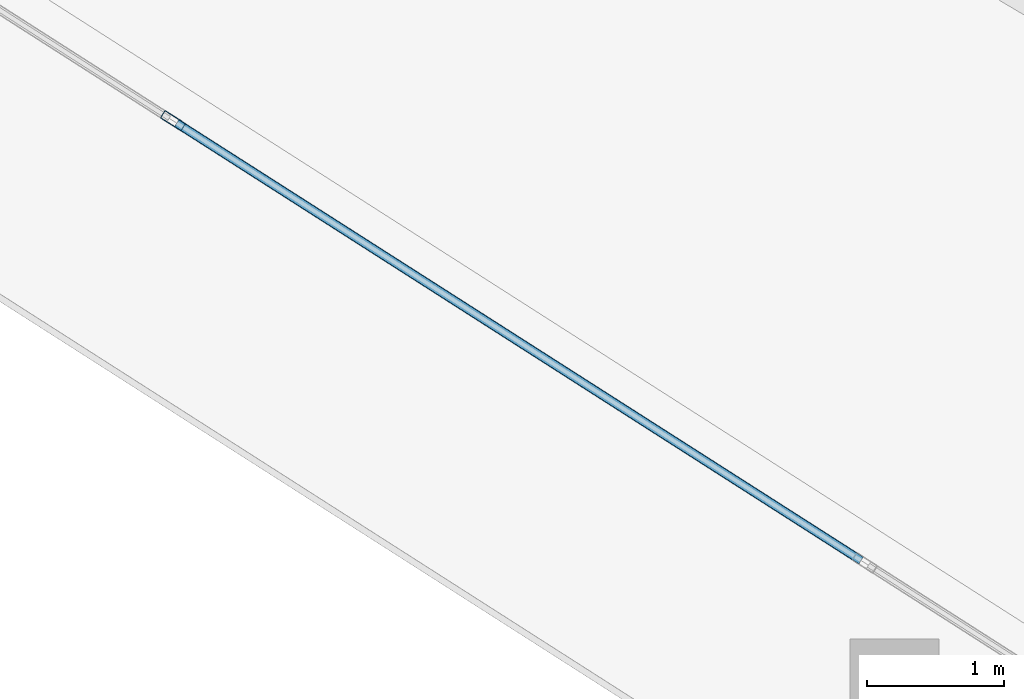
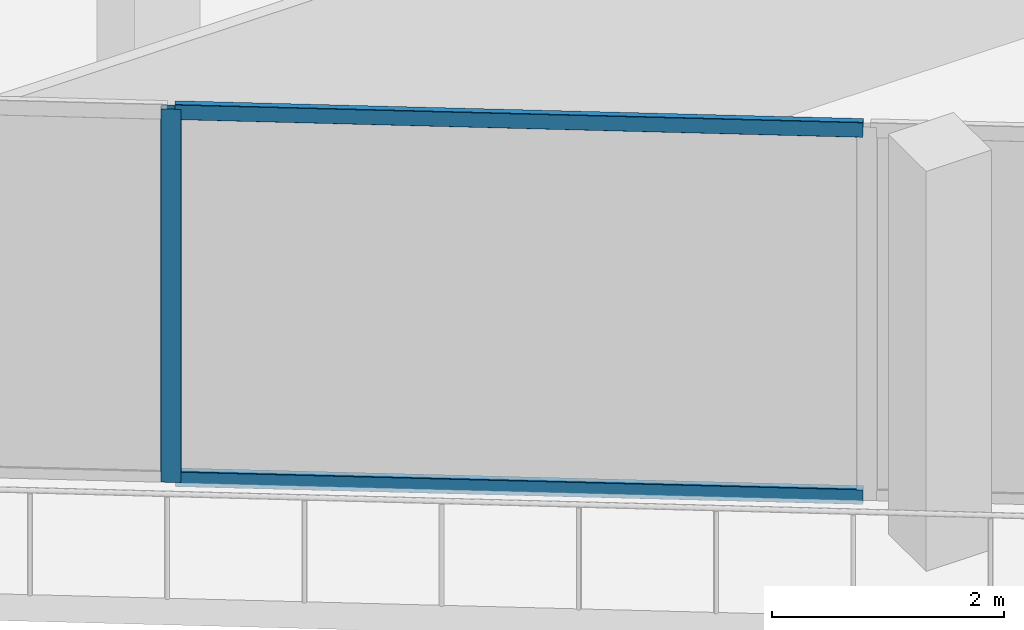
# One storey, part 3 of 42: 3 members, 1 element without a shape of its own.
"""IFC4 building model written with IfcOpenShell, lengths in metres."""

from ifc_helpers import new_model, si_unit, direction, frame, origin, origin_2d, place, context, subcontext, project, spatial, hollow_rectangle, extrude, material, layer, layer_set, material_profile, profile_set, type_object, element, aggregate, save


model = new_model("IFC4")

# Units and contexts
model_context = context("Model", 3, precision=1e-05, world=origin(), true_north=direction((0.0, 1.0)))
body_context = subcontext(model_context, "Body", "Model", "MODEL_VIEW")
ifc_project = project(units=[si_unit("LENGTHUNIT", "METRE"), si_unit("AREAUNIT", "SQUARE_METRE"), si_unit("VOLUMEUNIT", "CUBIC_METRE"), si_unit("PLANEANGLEUNIT", "RADIAN"), si_unit("MASSUNIT", "GRAM", prefix="KILO")], contexts=[model_context])

# Site, building, storey
site_placement = place(None, origin())
site = spatial("IfcSite", under=ifc_project, at=site_placement, CompositionType="ELEMENT")
building_placement = place(site_placement, origin())
building = spatial("IfcBuilding", under=site, at=building_placement, Name="Qorvath Tower", CompositionType="ELEMENT")
storey_placement = place(building_placement, frame((0.0, 0.0, 32.39990234375)))
storey = spatial("IfcBuildingStorey", under=building, at=storey_placement, Name="L06", CompositionType="ELEMENT", Elevation=32.39990234375)

# Curtain wall, members
ifc_material_1 = material(Name="Anodised aluminium and triple low-E glass", Category="aluminium")
ifc_layer = layer(ifc_material_1, 0.179931640625)
ifc_layer_set = layer_set([ifc_layer], Name="CW-SYS-2")
curtain_wall_type = type_object("IfcCurtainWallType", Name="CW-SYS-2", PredefinedType="NOTDEFINED", material=ifc_layer_set)
curtain_wall_placement = place(storey_placement, origin())
curtain_wall = element("IfcCurtainWall", 1, at=curtain_wall_placement, inside=storey, type_object=curtain_wall_type, Name="Curtain Wall CW-2 CW-T-L06-2.1", PredefinedType="NOTDEFINED")
ifc_material_2 = material(Name="Anodised aluminium 6063-T6", Category="aluminium")
ifc_material_profile_1 = material_profile(ifc_material_2, hollow_rectangle(XDim=0.06494140625, YDim=0.179931640625, WallThickness=0.00341796875, InnerFilletRadius=0.00341796875, OuterFilletRadius=0.007080078125, at=origin_2d()), Name="CWM 180x65")
ifc_profile_set_1 = profile_set([ifc_material_profile_1], Name="Anodised aluminium 6063-T6")
member_type_1 = type_object("IfcMemberType", Name="CWM-180", PredefinedType="MULLION", material=ifc_profile_set_1)
member_1_placement = place(storey_placement, frame((-50.80224609375, -10.66748046875, 0.0), z_axis=(0.0, 0.0, 1.0), x_axis=(0.538528741164, 0.84260714152, 0.0)))
member_1 = element("IfcMember", 2, at=member_1_placement, type_object=member_type_1, Name="CW-2 mullion 3", PredefinedType="MULLION", context=body_context, shape_type="SweptSolid", body=[
    extrude(hollow_rectangle(XDim=0.06494140625, YDim=0.179931640625, WallThickness=0.00341796875, InnerFilletRadius=0.00341796875, OuterFilletRadius=0.007080078125, at=origin_2d()), origin(), (0.0, 0.0, 1.0), 3.920166015625),
])
ifc_material_3 = material(Name="Anodised aluminium 6063-T6", Category="aluminium")
ifc_material_profile_2 = material_profile(ifc_material_3, hollow_rectangle(XDim=0.06494140625, YDim=0.159912109375, WallThickness=0.00341796875, InnerFilletRadius=0.00341796875, OuterFilletRadius=0.007080078125, at=origin_2d()), Name="CWT 160x65")
ifc_profile_set_2 = profile_set([ifc_material_profile_2], Name="Anodised aluminium 6063-T6")
member_type_2 = type_object("IfcMemberType", Name="CWT-160", PredefinedType="USERDEFINED", material=ifc_profile_set_2)
member_2_placement = place(storey_placement, frame((-50.77490234375, -10.68505859375, 0.032470703125), z_axis=(0.842615282309, -0.538516003494, 0.0), x_axis=(0.538516003494, 0.842615282309, 0.0)))
member_2 = element("IfcMember", 3, at=member_2_placement, type_object=member_type_2, Name="CW-2 transom 3.1", ObjectType="TRANSOM", PredefinedType="USERDEFINED", context=body_context, shape_type="SweptSolid", body=[
    extrude(hollow_rectangle(XDim=0.06494140625, YDim=0.159912109375, WallThickness=0.00341796875, InnerFilletRadius=0.00341796875, OuterFilletRadius=0.007080078125, at=origin_2d()), origin(), (0.0, 0.0, 1.0), 5.92822265625),
])
member_3_placement = place(storey_placement, frame((-50.77490234375, -10.68505859375, 3.8876953125), z_axis=(0.842615282309, -0.538516003494, 0.0), x_axis=(0.538516003494, 0.842615282309, 0.0)))
member_3 = element("IfcMember", 4, at=member_3_placement, type_object=member_type_2, Name="CW-2 transom 3.2", ObjectType="TRANSOM", PredefinedType="USERDEFINED", context=body_context, shape_type="SweptSolid", body=[
    extrude(hollow_rectangle(XDim=0.06494140625, YDim=0.159912109375, WallThickness=0.00341796875, InnerFilletRadius=0.00341796875, OuterFilletRadius=0.007080078125, at=origin_2d()), origin(), (0.0, 0.0, 1.0), 5.92822265625),
])
aggregate(curtain_wall, [member_1, member_2, member_3])

save(model, "model.ifc")
